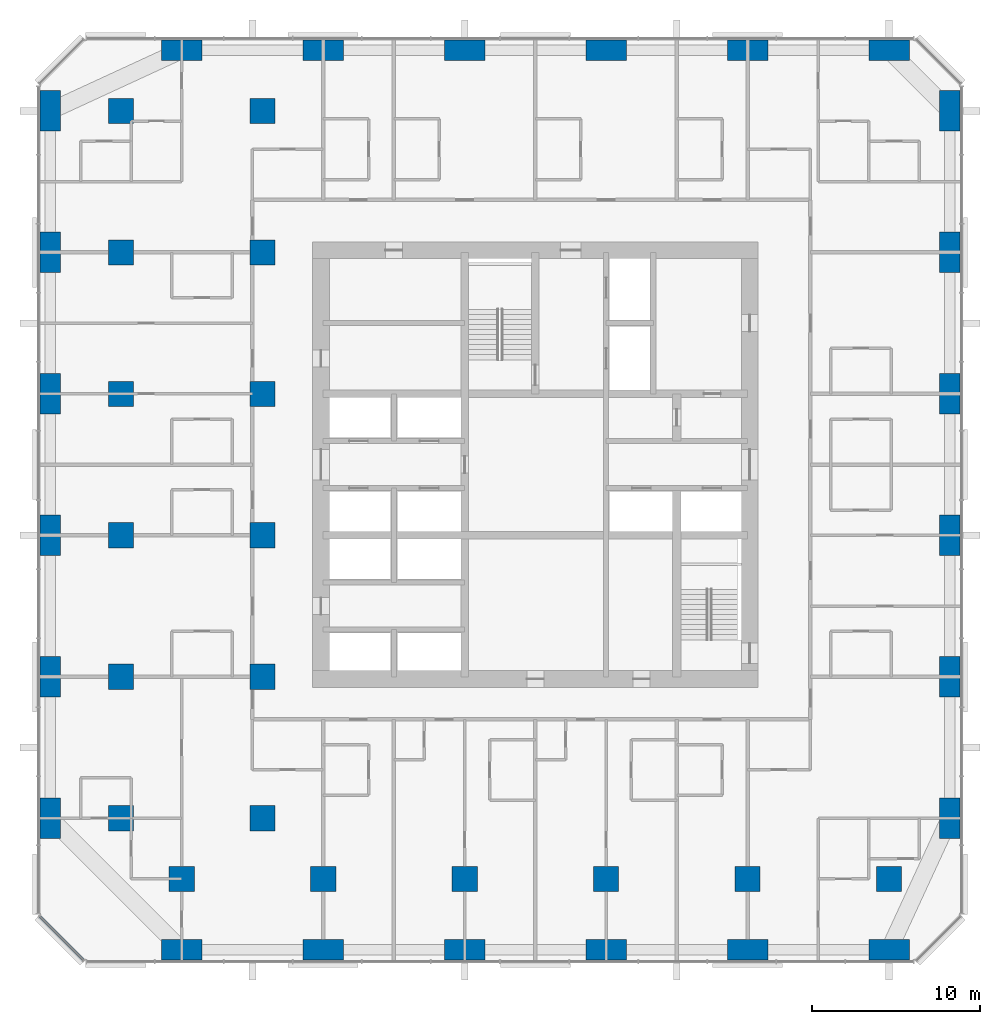
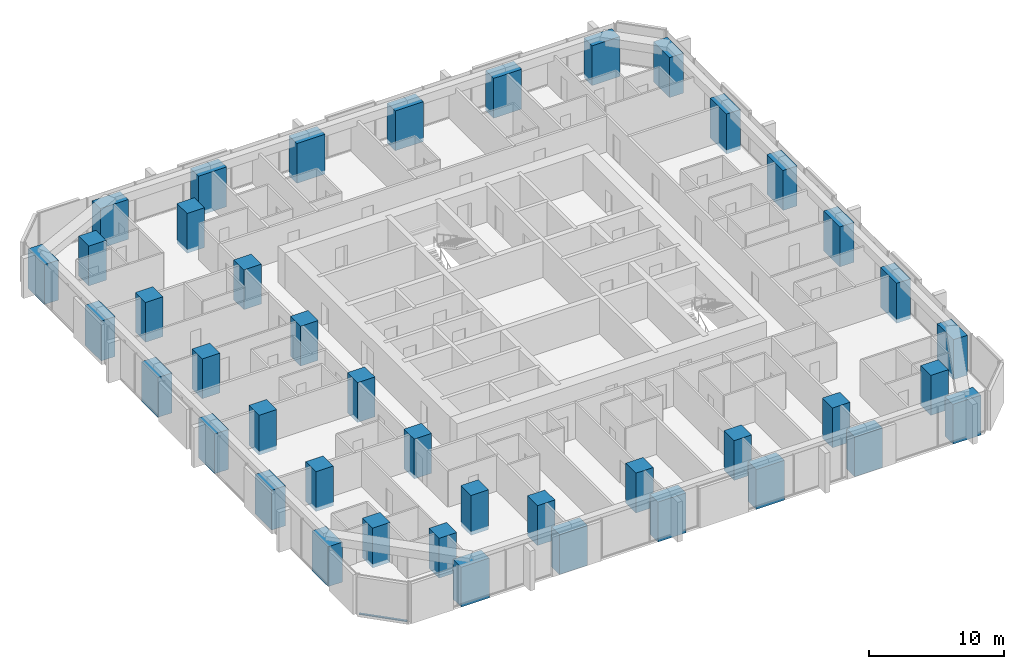
# One storey, part 1 of 14: 42 columns, 1 member, 1 element without a shape of its own.
"""IFC4 building model written with IfcOpenShell, lengths in metres."""

from ifc_helpers import new_model, si_unit, direction, frame, origin, origin_2d, place, context, subcontext, project, spatial, rectangle, extrude, material, material_profile, profile_set, type_object, element, aggregate, save


model = new_model("IFC4")

# Units and contexts
model_context = context("Model", 3, precision=1e-05, world=origin(), true_north=direction((0.0, 1.0)))
body_context = subcontext(model_context, "Body", "Model", "MODEL_VIEW")
ifc_project = project(units=[si_unit("LENGTHUNIT", "METRE"), si_unit("AREAUNIT", "SQUARE_METRE"), si_unit("VOLUMEUNIT", "CUBIC_METRE"), si_unit("PLANEANGLEUNIT", "RADIAN"), si_unit("MASSUNIT", "GRAM", prefix="KILO")], contexts=[model_context])

# Site, building, storey
site_placement = place(None, origin())
site = spatial("IfcSite", under=ifc_project, at=site_placement, CompositionType="ELEMENT")
building_placement = place(site_placement, origin())
building = spatial("IfcBuilding", under=site, at=building_placement, Name="Dunama Terrace Hotel", CompositionType="ELEMENT")
storey_placement = place(building_placement, frame((0.0, 0.0, 133.199951171875)))
storey = spatial("IfcBuildingStorey", under=building, at=storey_placement, Name="L34", CompositionType="ELEMENT", Elevation=133.199951171875)

# Columns
ifc_material_1 = material(Name="Concrete C60/75", Category="concrete")
ifc_material_profile_1 = material_profile(ifc_material_1, rectangle(XDim=1.199951171875, YDim=2.39990234375, at=origin_2d()), Name="RC 1200x2400")
ifc_profile_set_1 = profile_set([ifc_material_profile_1], Name="Concrete C60/75")
column_type_1 = type_object("IfcColumnType", Name="Column RC 1200x2400", PredefinedType="COLUMN", material=ifc_profile_set_1)
for number, where, z_axis, x_axis, name in (
    (1, (0.60009765625, 8.39990234375, -0.349853515625), (0.0, 0.0, 1.0), (1.0, 0.0, 0.0), "Column L34 +0.6/+8.4"),
    (2, (0.60009765625, 16.800048828125, -0.349853515625), (0.0, 0.0, 1.0), (1.0, 0.0, 0.0), "Column L34 +0.6/+16.8"),
    (3, (0.60009765625, 25.199951171875, -0.349853515625), (0.0, 0.0, 1.0), (1.0, 0.0, 0.0), "Column L34 +0.6/+25.2"),
    (4, (0.60009765625, 33.60009765625, -0.349853515625), (0.0, 0.0, 1.0), (1.0, 0.0, 0.0), "Column L34 +0.6/+33.6"),
    (5, (0.60009765625, 42.0, -0.349853515625), (0.0, 0.0, 1.0), (1.0, 0.0, 0.0), "Column L34 +0.6/+42.0"),
    (6, (0.60009765625, 50.39990234375, -0.349853515625), (0.0, 0.0, 1.0), (1.0, 0.0, 0.0), "Column L34 +0.6/+50.4"),
    (7, (54.0, 8.39990234375, -0.349853515625), (0.0, 0.0, 1.0), (1.0, 0.0, 0.0), "Column L34 +54.0/+8.4"),
    (8, (54.0, 16.800048828125, -0.349853515625), (0.0, 0.0, 1.0), (1.0, 0.0, 0.0), "Column L34 +54.0/+16.8"),
    (9, (54.0, 25.199951171875, -0.349853515625), (0.0, 0.0, 1.0), (1.0, 0.0, 0.0), "Column L34 +54.0/+25.2"),
    (10, (54.0, 33.60009765625, -0.349853515625), (0.0, 0.0, 1.0), (1.0, 0.0, 0.0), "Column L34 +54.0/+33.6"),
    (11, (54.0, 42.0, -0.349853515625), (0.0, 0.0, 1.0), (1.0, 0.0, 0.0), "Column L34 +54.0/+42.0"),
    (12, (54.0, 50.39990234375, -0.349853515625), (0.0, 0.0, 1.0), (1.0, 0.0, 0.0), "Column L34 +54.0/+50.4"),
):
    element("IfcColumn", number, at=place(storey_placement, frame(where, z_axis=z_axis, x_axis=x_axis)), inside=storey, type_object=column_type_1, Name=name, PredefinedType="COLUMN", context=body_context, shape_type="SweptSolid", body=[
        extrude(rectangle(XDim=1.199951171875, YDim=2.39990234375, at=origin_2d()), origin(), (0.0, 0.0, 1.0), 3.599853515625),
    ])
ifc_material_2 = material(Name="Concrete C60/75", Category="concrete")
ifc_material_profile_2 = material_profile(ifc_material_2, rectangle(XDim=1.5, YDim=1.5, at=origin_2d()), Name="RC 1500x1500")
ifc_profile_set_2 = profile_set([ifc_material_profile_2], Name="Concrete C60/75")
column_type_2 = type_object("IfcColumnType", Name="Column RC 1500x1500", PredefinedType="COLUMN", material=ifc_profile_set_2)
for number, where, z_axis, x_axis, name in (
    (13, (4.800048828125, 8.39990234375, -0.349853515625), (0.0, 0.0, 1.0), (1.0, 0.0, 0.0), "Column L34 +4.8/+8.4"),
    (14, (4.800048828125, 16.800048828125, -0.349853515625), (0.0, 0.0, 1.0), (1.0, 0.0, 0.0), "Column L34 +4.8/+16.8"),
    (15, (4.800048828125, 25.199951171875, -0.349853515625), (0.0, 0.0, 1.0), (1.0, 0.0, 0.0), "Column L34 +4.8/+25.2"),
    (16, (4.800048828125, 33.60009765625, -0.349853515625), (0.0, 0.0, 1.0), (1.0, 0.0, 0.0), "Column L34 +4.8/+33.6"),
    (17, (4.800048828125, 42.0, -0.349853515625), (0.0, 0.0, 1.0), (1.0, 0.0, 0.0), "Column L34 +4.8/+42.0"),
    (18, (4.800048828125, 50.39990234375, -0.349853515625), (0.0, 0.0, 1.0), (1.0, 0.0, 0.0), "Column L34 +4.8/+50.4"),
    (19, (8.39990234375, 4.800048828125, -0.349853515625), (0.0, 0.0, 1.0), (1.0, 0.0, 0.0), "Column L34 +8.4/+4.8"),
    (20, (13.199951171875, 8.39990234375, -0.349853515625), (0.0, 0.0, 1.0), (1.0, 0.0, 0.0), "Column L34 +13.2/+8.4"),
    (21, (13.199951171875, 16.800048828125, -0.349853515625), (0.0, 0.0, 1.0), (1.0, 0.0, 0.0), "Column L34 +13.2/+16.8"),
    (22, (13.199951171875, 25.199951171875, -0.349853515625), (0.0, 0.0, 1.0), (1.0, 0.0, 0.0), "Column L34 +13.2/+25.2"),
    (23, (13.199951171875, 33.60009765625, -0.349853515625), (0.0, 0.0, 1.0), (1.0, 0.0, 0.0), "Column L34 +13.2/+33.6"),
    (24, (13.199951171875, 42.0, -0.349853515625), (0.0, 0.0, 1.0), (1.0, 0.0, 0.0), "Column L34 +13.2/+42.0"),
    (25, (13.199951171875, 50.39990234375, -0.349853515625), (0.0, 0.0, 1.0), (1.0, 0.0, 0.0), "Column L34 +13.2/+50.4"),
    (26, (16.800048828125, 4.800048828125, -0.349853515625), (0.0, 0.0, 1.0), (1.0, 0.0, 0.0), "Column L34 +16.8/+4.8"),
    (27, (25.199951171875, 4.800048828125, -0.349853515625), (0.0, 0.0, 1.0), (1.0, 0.0, 0.0), "Column L34 +25.2/+4.8"),
    (28, (33.60009765625, 4.800048828125, -0.349853515625), (0.0, 0.0, 1.0), (1.0, 0.0, 0.0), "Column L34 +33.6/+4.8"),
    (29, (42.0, 4.800048828125, -0.349853515625), (0.0, 0.0, 1.0), (1.0, 0.0, 0.0), "Column L34 +42.0/+4.8"),
    (30, (50.39990234375, 4.800048828125, -0.349853515625), (0.0, 0.0, 1.0), (1.0, 0.0, 0.0), "Column L34 +50.4/+4.8"),
):
    element("IfcColumn", number, at=place(storey_placement, frame(where, z_axis=z_axis, x_axis=x_axis)), inside=storey, type_object=column_type_2, Name=name, PredefinedType="COLUMN", context=body_context, shape_type="SweptSolid", body=[
        extrude(rectangle(XDim=1.5, YDim=1.5, at=origin_2d()), origin(), (0.0, 0.0, 1.0), 3.599853515625),
    ])
ifc_material_3 = material(Name="Concrete C60/75", Category="concrete")
ifc_material_profile_3 = material_profile(ifc_material_3, rectangle(XDim=2.39990234375, YDim=1.199951171875, at=origin_2d()), Name="RC 2400x1200")
ifc_profile_set_3 = profile_set([ifc_material_profile_3], Name="Concrete C60/75")
column_type_3 = type_object("IfcColumnType", Name="Column RC 2400x1200", PredefinedType="COLUMN", material=ifc_profile_set_3)
for number, where, z_axis, x_axis, name in (
    (31, (8.39990234375, 0.60009765625, -0.349853515625), (0.0, 0.0, 1.0), (1.0, 0.0, 0.0), "Column L34 +8.4/+0.6"),
    (32, (8.39990234375, 54.0, -0.349853515625), (0.0, 0.0, 1.0), (1.0, 0.0, 0.0), "Column L34 +8.4/+54.0"),
    (33, (16.800048828125, 0.60009765625, -0.349853515625), (0.0, 0.0, 1.0), (1.0, 0.0, 0.0), "Column L34 +16.8/+0.6"),
    (34, (16.800048828125, 54.0, -0.349853515625), (0.0, 0.0, 1.0), (1.0, 0.0, 0.0), "Column L34 +16.8/+54.0"),
    (35, (25.199951171875, 0.60009765625, -0.349853515625), (0.0, 0.0, 1.0), (1.0, 0.0, 0.0), "Column L34 +25.2/+0.6"),
    (36, (25.199951171875, 54.0, -0.349853515625), (0.0, 0.0, 1.0), (1.0, 0.0, 0.0), "Column L34 +25.2/+54.0"),
    (37, (33.60009765625, 0.60009765625, -0.349853515625), (0.0, 0.0, 1.0), (1.0, 0.0, 0.0), "Column L34 +33.6/+0.6"),
    (38, (33.60009765625, 54.0, -0.349853515625), (0.0, 0.0, 1.0), (1.0, 0.0, 0.0), "Column L34 +33.6/+54.0"),
    (39, (42.0, 0.60009765625, -0.349853515625), (0.0, 0.0, 1.0), (1.0, 0.0, 0.0), "Column L34 +42.0/+0.6"),
    (40, (42.0, 54.0, -0.349853515625), (0.0, 0.0, 1.0), (1.0, 0.0, 0.0), "Column L34 +42.0/+54.0"),
    (41, (50.39990234375, 0.60009765625, -0.349853515625), (0.0, 0.0, 1.0), (1.0, 0.0, 0.0), "Column L34 +50.4/+0.6"),
    (42, (50.39990234375, 54.0, -0.349853515625), (0.0, 0.0, 1.0), (1.0, 0.0, 0.0), "Column L34 +50.4/+54.0"),
):
    element("IfcColumn", number, at=place(storey_placement, frame(where, z_axis=z_axis, x_axis=x_axis)), inside=storey, type_object=column_type_3, Name=name, PredefinedType="COLUMN", context=body_context, shape_type="SweptSolid", body=[
        extrude(rectangle(XDim=2.39990234375, YDim=1.199951171875, at=origin_2d()), origin(), (0.0, 0.0, 1.0), 3.599853515625),
    ])

# Curtain wall, member
ifc_material_4 = material(Name="Aluminium curtain wall system", Category="aluminium")
curtain_wall_type = type_object("IfcCurtainWallType", Name="Unitised fritted glass wall CW-B", PredefinedType="NOTDEFINED", material=ifc_material_4)
curtain_wall_placement = place(storey_placement, origin())
curtain_wall = element("IfcCurtainWall", 43, at=curtain_wall_placement, inside=storey, type_object=curtain_wall_type, Name="Unitised fritted glass wall CW-B L34", PredefinedType="NOTDEFINED")
ifc_material_5 = material(Name="Aluminium transom", Category="aluminium")
ifc_material_profile_4 = material_profile(ifc_material_5, rectangle(XDim=0.179931640625, YDim=0.080078125, at=origin_2d()), Name="CWB TRANSOM 180X80")
ifc_profile_set_4 = profile_set([ifc_material_profile_4], Name="Aluminium transom")
member_type = type_object("IfcMemberType", Name="CWB transom 180x80", PredefinedType="USERDEFINED", material=ifc_profile_set_4)
member_placement = place(storey_placement, frame((-0.031982421875, 2.575927734375, 0.0400390625), z_axis=(0.707106781187, -0.707106781187, 0.0), x_axis=(0.707106781187, 0.707106781187, 0.0)))
member = element("IfcMember", 44, at=member_placement, type_object=member_type, Name="CWB transom", ObjectType="TRANSOM", PredefinedType="USERDEFINED", context=body_context, shape_type="SweptSolid", body=[
    extrude(rectangle(XDim=0.179931640625, YDim=0.080078125, at=origin_2d()), origin(), (0.0, 0.0, 1.0), 3.688232421875),
])
aggregate(curtain_wall, [member])

save(model, "model.ifc")
